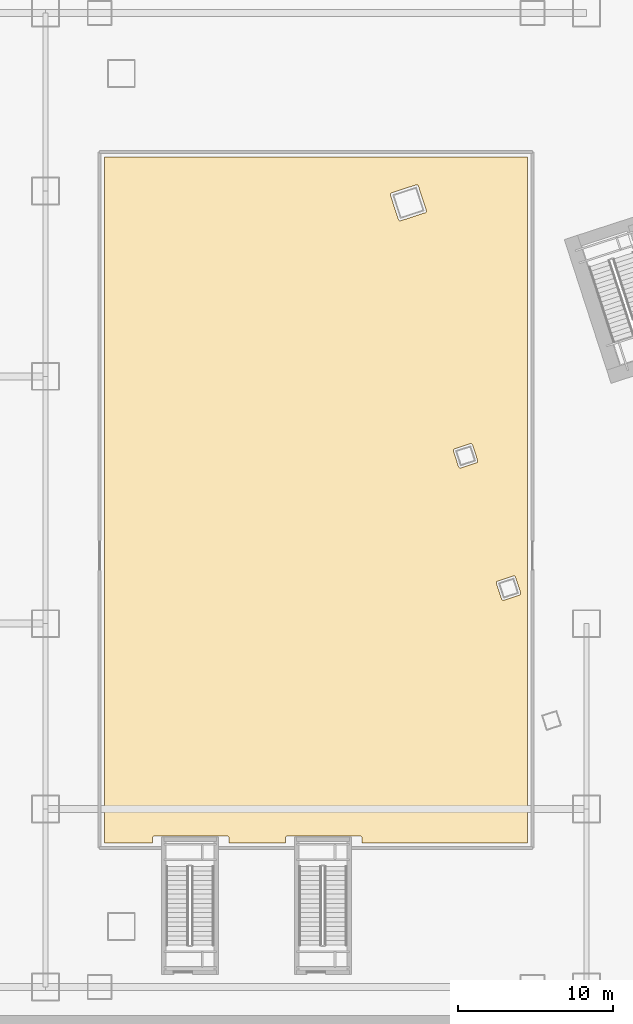
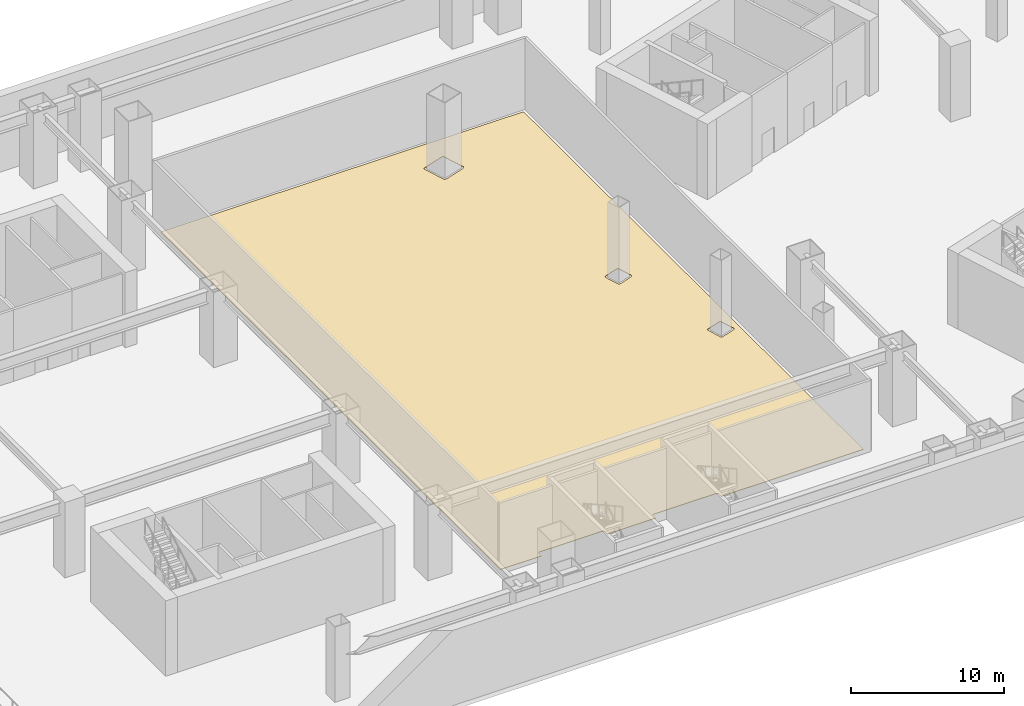
# One storey, part 17 of 20: 1 covering.
"""IFC4 building model written with IfcOpenShell, lengths in metres."""

from ifc_helpers import new_model, si_unit, direction, frame, origin, place, context, subcontext, project, spatial, polyline, outline, extrude, material, layer, layer_set, type_object, element, save


model = new_model("IFC4")

# Units and contexts
model_context = context("Model", 3, precision=1e-05, world=origin(), true_north=direction((0.0, 1.0)))
body_context = subcontext(model_context, "Body", "Model", "MODEL_VIEW")
ifc_project = project(units=[si_unit("LENGTHUNIT", "METRE"), si_unit("AREAUNIT", "SQUARE_METRE"), si_unit("VOLUMEUNIT", "CUBIC_METRE"), si_unit("PLANEANGLEUNIT", "RADIAN"), si_unit("MASSUNIT", "GRAM", prefix="KILO")], contexts=[model_context])

# Site, building, storey
site_placement = place(None, origin())
site = spatial("IfcSite", under=ifc_project, at=site_placement, CompositionType="ELEMENT")
building_placement = place(site_placement, origin())
building = spatial("IfcBuilding", under=site, at=building_placement, Name="Qiaolan Cultural Towers", CompositionType="ELEMENT")
storey_placement = place(building_placement, frame((0.0, 0.0, -6.0)))
storey = spatial("IfcBuildingStorey", under=building, at=storey_placement, Name="B1", CompositionType="ELEMENT", Elevation=-6.0)

# Covering
ifc_material = material(Name="Honed Terrazzo & Raised Access Flooring", Category="concrete")
ifc_layer = layer(ifc_material, 0.0400390625)
ifc_layer_set = layer_set([ifc_layer], Name="Honed Terrazzo & Raised Access Flooring")
covering_type = type_object("IfcCoveringType", Name="COV-FLR-STONE", PredefinedType="FLOORING", material=ifc_layer_set)
covering_placement = place(storey_placement, origin())
element("IfcCovering", 1, at=covering_placement, inside=storey, type_object=covering_type, Name="B1 Metro Interchange Paid Concourse Hall Finish Flooring", PredefinedType="FLOORING", context=body_context, shape_type="SweptSolid", body=[
    extrude(outline(polyline([(73.679931640625, 11.820068359375), (73.679931640625, 56.179931640625), (46.320068359375, 56.179931640625), (46.320068359375, 11.820068359375), (49.429931640625, 11.820068359375), (49.429931640625, 12.14990234375), (49.4306640625, 12.161865234375), (49.432373046875, 12.17333984375), (49.43505859375, 12.184814453125), (49.439208984375, 12.19580078125), (49.444091796875, 12.20654296875), (49.4501953125, 12.216552734375), (49.457275390625, 12.22607421875), (49.465087890625, 12.23486328125), (49.473876953125, 12.24267578125), (49.4833984375, 12.249755859375), (49.493408203125, 12.255859375), (49.504150390625, 12.260986328125), (49.51513671875, 12.264892578125), (49.526611328125, 12.267578125), (49.538330078125, 12.26953125), (49.550048828125, 12.27001953125), (54.25, 12.27001953125), (54.26171875, 12.26953125), (54.2734375, 12.267578125), (54.284912109375, 12.264892578125), (54.2958984375, 12.260986328125), (54.306640625, 12.255859375), (54.316650390625, 12.249755859375), (54.326171875, 12.24267578125), (54.3349609375, 12.23486328125), (54.3427734375, 12.22607421875), (54.349853515625, 12.216552734375), (54.355712890625, 12.20654296875), (54.36083984375, 12.19580078125), (54.36474609375, 12.184814453125), (54.36767578125, 12.17333984375), (54.369384765625, 12.161865234375), (54.3701171875, 12.14990234375), (54.3701171875, 11.820068359375), (58.030029296875, 11.820068359375), (58.030029296875, 12.14990234375), (58.030517578125, 12.161865234375), (58.0322265625, 12.17333984375), (58.03515625, 12.184814453125), (58.0390625, 12.19580078125), (58.044189453125, 12.20654296875), (58.05029296875, 12.216552734375), (58.05712890625, 12.22607421875), (58.065185546875, 12.23486328125), (58.073974609375, 12.24267578125), (58.083251953125, 12.249755859375), (58.093505859375, 12.255859375), (58.10400390625, 12.260986328125), (58.115234375, 12.264892578125), (58.126708984375, 12.267578125), (58.13818359375, 12.26953125), (58.14990234375, 12.27001953125), (62.85009765625, 12.27001953125), (62.86181640625, 12.26953125), (62.873291015625, 12.267578125), (62.884765625, 12.264892578125), (62.89599609375, 12.260986328125), (62.906494140625, 12.255859375), (62.916748046875, 12.249755859375), (62.926025390625, 12.24267578125), (62.934814453125, 12.23486328125), (62.94287109375, 12.22607421875), (62.94970703125, 12.216552734375), (62.955810546875, 12.20654296875), (62.9609375, 12.19580078125), (62.96484375, 12.184814453125), (62.9677734375, 12.17333984375), (62.969482421875, 12.161865234375), (62.969970703125, 12.14990234375), (62.969970703125, 11.820068359375), (73.679931640625, 11.820068359375)]), holes=[polyline([(72.767578125, 29.083740234375), (72.779296875, 29.085693359375), (72.791015625, 29.08642578125), (72.802734375, 29.086181640625), (72.814453125, 29.084716796875), (72.825927734375, 29.08203125), (72.8369140625, 29.078125), (72.84765625, 29.073486328125), (72.85791015625, 29.067626953125), (72.86767578125, 29.060791015625), (72.87646484375, 29.052978515625), (72.884521484375, 29.04443359375), (72.891845703125, 29.03515625), (72.89794921875, 29.025146484375), (72.9033203125, 29.0146484375), (72.907470703125, 29.003662109375), (73.23486328125, 27.995361328125), (73.238037109375, 27.984130859375), (73.239990234375, 27.972412109375), (73.24072265625, 27.960693359375), (73.240478515625, 27.948974609375), (73.239013671875, 27.937255859375), (73.236328125, 27.92578125), (73.232666015625, 27.91455078125), (73.227783203125, 27.90380859375), (73.221923828125, 27.8935546875), (73.215087890625, 27.884033203125), (73.207275390625, 27.875244140625), (73.19873046875, 27.8671875), (73.189453125, 27.85986328125), (73.179443359375, 27.853759765625), (73.1689453125, 27.848388671875), (73.157958984375, 27.84423828125), (72.14990234375, 27.5166015625), (72.138427734375, 27.513671875), (72.126708984375, 27.51171875), (72.114990234375, 27.5107421875), (72.103271484375, 27.51123046875), (72.091552734375, 27.5126953125), (72.080078125, 27.515380859375), (72.069091796875, 27.51904296875), (72.058349609375, 27.52392578125), (72.048095703125, 27.52978515625), (72.038330078125, 27.53662109375), (72.029541015625, 27.544189453125), (72.021484375, 27.552978515625), (72.01416015625, 27.562255859375), (72.008056640625, 27.572265625), (72.002685546875, 27.582763671875), (71.99853515625, 27.59375), (71.671142578125, 28.601806640625), (71.66796875, 28.61328125), (71.666015625, 28.624755859375), (71.665283203125, 28.636474609375), (71.66552734375, 28.6484375), (71.6669921875, 28.659912109375), (71.669677734375, 28.67138671875), (71.67333984375, 28.6826171875), (71.67822265625, 28.693359375), (71.68408203125, 28.70361328125), (71.69091796875, 28.713134765625), (71.69873046875, 28.72216796875), (71.707275390625, 28.730224609375), (71.716552734375, 28.7373046875), (71.7265625, 28.74365234375), (71.737060546875, 28.748779296875), (71.748046875, 28.7529296875), (72.756103515625, 29.08056640625), (72.767578125, 29.083740234375)]), polyline([(70.456787109375, 36.543701171875), (70.458740234375, 36.531982421875), (70.459716796875, 36.520263671875), (70.459228515625, 36.508544921875), (70.457763671875, 36.496826171875), (70.455078125, 36.4853515625), (70.451416015625, 36.47412109375), (70.446533203125, 36.46337890625), (70.440673828125, 36.453125), (70.433837890625, 36.443603515625), (70.42626953125, 36.434814453125), (70.417724609375, 36.426513671875), (70.408203125, 36.41943359375), (70.3984375, 36.4130859375), (70.3876953125, 36.407958984375), (70.376708984375, 36.40380859375), (69.36865234375, 36.076171875), (69.357177734375, 36.072998046875), (69.345703125, 36.071044921875), (69.333984375, 36.0703125), (69.322265625, 36.070556640625), (69.310546875, 36.072265625), (69.299072265625, 36.07470703125), (69.287841796875, 36.07861328125), (69.277099609375, 36.08349609375), (69.266845703125, 36.08935546875), (69.25732421875, 36.095947265625), (69.248291015625, 36.103759765625), (69.240234375, 36.1123046875), (69.233154296875, 36.12158203125), (69.226806640625, 36.131591796875), (69.2216796875, 36.142333984375), (69.217529296875, 36.1533203125), (68.889892578125, 37.161376953125), (68.88671875, 37.172607421875), (68.884765625, 37.184326171875), (68.884033203125, 37.196044921875), (68.88427734375, 37.207763671875), (68.885986328125, 37.219482421875), (68.888427734375, 37.23095703125), (68.892333984375, 37.2421875), (68.89697265625, 37.2529296875), (68.90283203125, 37.26318359375), (68.90966796875, 37.272705078125), (68.91748046875, 37.281494140625), (68.926025390625, 37.289794921875), (68.935302734375, 37.296875), (68.9453125, 37.30322265625), (68.955810546875, 37.308349609375), (68.967041015625, 37.3125), (69.97509765625, 37.64013671875), (69.986328125, 37.643310546875), (69.998046875, 37.645263671875), (70.009765625, 37.64599609375), (70.021484375, 37.6455078125), (70.033203125, 37.64404296875), (70.044677734375, 37.641357421875), (70.055908203125, 37.6376953125), (70.066650390625, 37.6328125), (70.076904296875, 37.626953125), (70.08642578125, 37.6201171875), (70.09521484375, 37.612548828125), (70.103271484375, 37.60400390625), (70.110595703125, 37.594482421875), (70.116943359375, 37.584716796875), (70.1220703125, 37.573974609375), (70.126220703125, 37.56298828125), (70.453857421875, 36.554931640625), (70.456787109375, 36.543701171875)]), polyline([(64.809814453125, 53.7333984375), (64.807861328125, 53.744873046875), (64.806884765625, 53.7568359375), (64.807373046875, 53.7685546875), (64.808837890625, 53.7802734375), (64.8115234375, 53.791748046875), (64.815185546875, 53.802734375), (64.820068359375, 53.8134765625), (64.825927734375, 53.82373046875), (64.832763671875, 53.833251953125), (64.84033203125, 53.84228515625), (64.84912109375, 53.850341796875), (64.8583984375, 53.857421875), (64.868408203125, 53.86376953125), (64.87890625, 53.869140625), (64.889892578125, 53.873291015625), (66.468505859375, 54.38623046875), (66.47998046875, 54.38916015625), (66.49169921875, 54.39111328125), (66.50341796875, 54.39208984375), (66.51513671875, 54.3916015625), (66.52685546875, 54.39013671875), (66.538330078125, 54.387451171875), (66.54931640625, 54.3837890625), (66.56005859375, 54.37890625), (66.5703125, 54.373046875), (66.580078125, 54.3662109375), (66.5888671875, 54.358642578125), (66.596923828125, 54.35009765625), (66.604248046875, 54.340576171875), (66.6103515625, 54.33056640625), (66.61572265625, 54.320068359375), (66.619873046875, 54.30908203125), (67.1328125, 52.73046875), (67.135986328125, 52.718994140625), (67.137939453125, 52.707275390625), (67.138671875, 52.695556640625), (67.13818359375, 52.683837890625), (67.13671875, 52.672119140625), (67.13427734375, 52.66064453125), (67.13037109375, 52.649658203125), (67.12548828125, 52.638916015625), (67.11962890625, 52.628662109375), (67.11279296875, 52.618896484375), (67.105224609375, 52.610107421875), (67.0966796875, 52.60205078125), (67.08740234375, 52.5947265625), (67.077392578125, 52.588623046875), (67.066650390625, 52.583251953125), (67.0556640625, 52.5791015625), (65.47705078125, 52.066162109375), (65.465576171875, 52.063232421875), (65.4541015625, 52.06103515625), (65.4423828125, 52.060302734375), (65.430419921875, 52.060791015625), (65.418701171875, 52.062255859375), (65.4072265625, 52.06494140625), (65.396240234375, 52.068603515625), (65.385498046875, 52.073486328125), (65.375244140625, 52.079345703125), (65.36572265625, 52.086181640625), (65.356689453125, 52.09375), (65.3486328125, 52.102294921875), (65.341552734375, 52.11181640625), (65.335205078125, 52.12158203125), (65.330078125, 52.13232421875), (65.32568359375, 52.143310546875), (64.812744140625, 53.721923828125), (64.809814453125, 53.7333984375)])]), origin(), (0.0, 0.0, 1.0), 0.0400390625),
])

save(model, "model.ifc")
